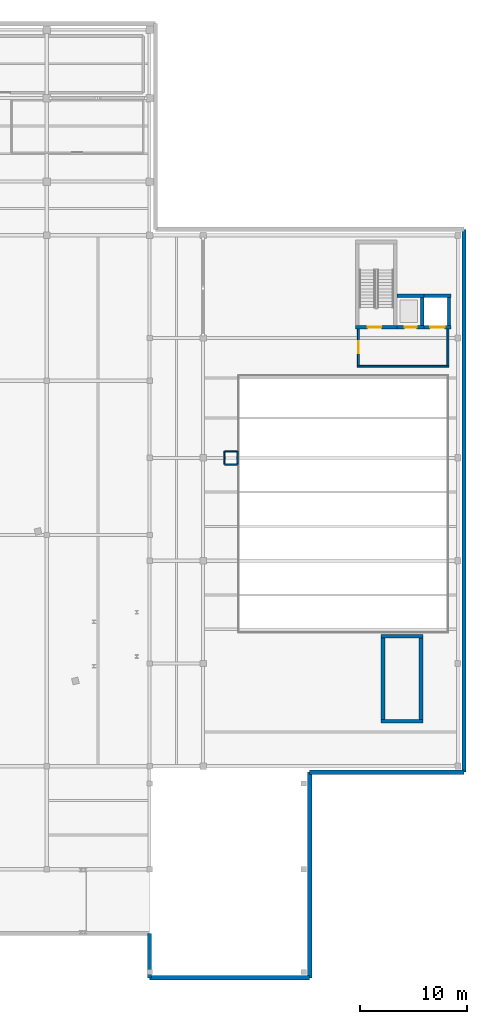
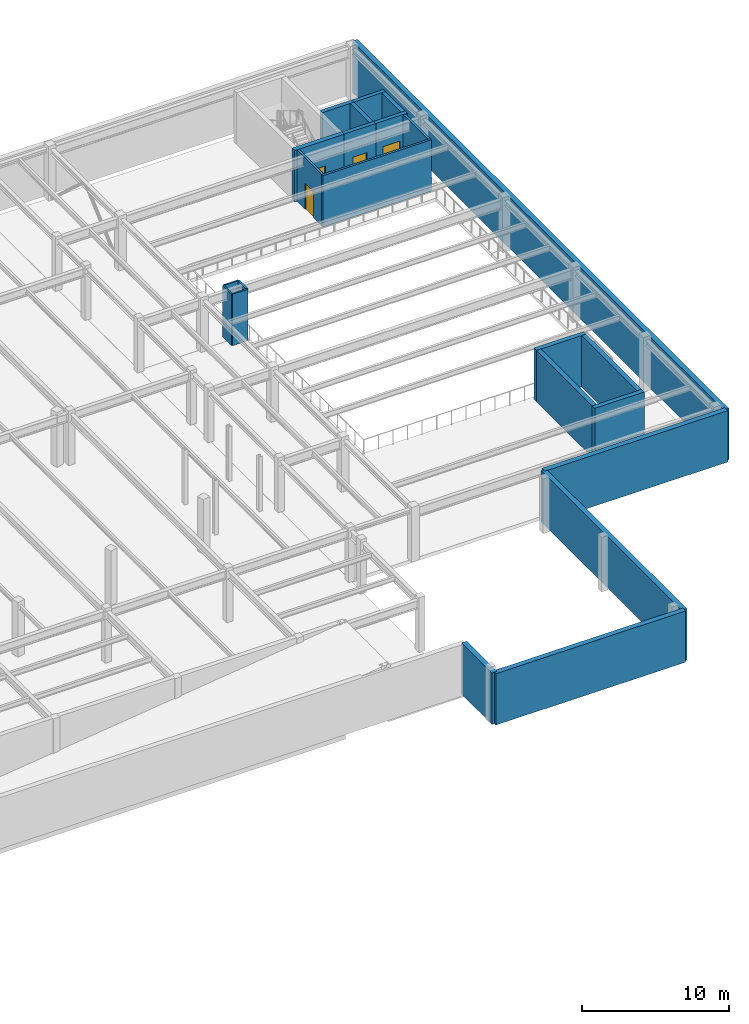
# One storey, part 21 of 32: 23 walls, 4 doors, 4 openings.
"""IFC4 building model written with IfcOpenShell, lengths in metres."""

from ifc_helpers import new_model, si_unit, direction, frame, frame_2d, origin, place, context, subcontext, project, spatial, rectangle, extrude, material, layer, layer_set, type_object, element, fill, save


model = new_model("IFC4")

# Units and contexts
model_context = context("Model", 3, precision=1e-05, world=origin(), true_north=direction((0.0, 1.0)))
body_context = subcontext(model_context, "Body", "Model", "MODEL_VIEW")
ifc_project = project(units=[si_unit("LENGTHUNIT", "METRE"), si_unit("AREAUNIT", "SQUARE_METRE"), si_unit("VOLUMEUNIT", "CUBIC_METRE"), si_unit("PLANEANGLEUNIT", "RADIAN"), si_unit("MASSUNIT", "GRAM", prefix="KILO")], contexts=[model_context])

# Site, building, storey
site_placement = place(None, origin())
site = spatial("IfcSite", under=ifc_project, at=site_placement, CompositionType="ELEMENT")
building_placement = place(site_placement, origin())
building = spatial("IfcBuilding", under=site, at=building_placement, Name="Nordkorset Police Headquarters", CompositionType="ELEMENT")
storey_placement = place(building_placement, frame((0.0, 0.0, -4.550048828125)))
storey = spatial("IfcBuildingStorey", under=building, at=storey_placement, Name="B01", CompositionType="ELEMENT", Elevation=-4.550048828125)

# Wall
ifc_material_1 = material(Name="Gypsum board", Category="gypsum")
ifc_layer_1 = layer(ifc_material_1, 0.179931640625, Name="Gypsum board")
ifc_layer_set_1 = layer_set([ifc_layer_1], Name="Gypsum board")
wall_type_1 = type_object("IfcWallType", Name="Wall_Comp_180", PredefinedType="PARTITIONING", material=ifc_layer_set_1)
wall_1_placement = place(storey_placement, frame((105.800048828125, 85.360107421875, 0.0), z_axis=(0.0, 0.0, 1.0), x_axis=(1.0, 0.0, 0.0)))
element("IfcWall", 1, at=wall_1_placement, inside=storey, type_object=wall_type_1, Name="Firefighting Lobby EI 60 Wall K5 B01 S", PredefinedType="PARTITIONING", context=body_context, shape_type="SweptSolid", body=[
    extrude(rectangle(XDim=8.550048828125, YDim=0.179931640625, at=frame_2d((4.27490234375, 0.0))), origin(), (0.0, 0.0, 1.0), 4.280029296875),
])

# Wall, opening, door
wall_2_placement = place(storey_placement, frame((105.889892578125, 85.449951171875, 0.0), z_axis=(0.0, 0.0, 1.0), x_axis=(0.0, 1.0, 0.0)))
wall_2 = element("IfcWall", 2, at=wall_2_placement, inside=storey, type_object=wall_type_1, Name="Firefighting Lobby EI 60 Wall K5 B01 W", PredefinedType="PARTITIONING", context=body_context, shape_type="SweptSolid", body=[
    extrude(rectangle(XDim=3.375, YDim=0.179931640625, at=frame_2d((1.6875, 0.0))), origin(), (0.0, 0.0, 1.0), 4.280029296875),
])
opening_1_placement = place(wall_2_placement, frame((1.112548828125, 0.0, 0.0)))
opening_1 = element("IfcOpeningElement", 3, at=opening_1_placement, cuts=wall_2, Name="Opening DR-01", PredefinedType="OPENING", context=body_context, shape_type="SweptSolid", body=[
    extrude(rectangle(XDim=1.14990234375, YDim=2.14990234375, at=frame_2d((0.574951171875, 1.074951171875))), frame((0.0, 0.10009765625, 0.0), z_axis=(0.0, -1.0, 0.0), x_axis=(1.0, 0.0, 0.0)), (0.0, 0.0, 1.0), 0.199951171875),
])
ifc_material_2 = material(Name="Steel S355J2", Category="steel")
door_type_1 = type_object("IfcDoorType", Name="Door_LobbySingle_1150x2150", OperationType="NOTDEFINED", PredefinedType="DOOR", material=ifc_material_2)
door_1_placement = place(opening_1_placement, origin())
door_1 = element("IfcDoor", 4, at=door_1_placement, inside=storey, type_object=door_type_1, Name="Firefighting Lobby Smoke Door K5 B01 W", OperationType="SINGLE_SWING_LEFT", OverallHeight=2.14990234375, OverallWidth=1.14990234375, PredefinedType="DOOR", context=body_context, shape_type="SweptSolid", body=[
    extrude(rectangle(XDim=1.14990234375, YDim=2.14990234375, at=frame_2d((0.574951171875, 1.074951171875))), frame((0.0, 0.02490234375, 0.0), z_axis=(0.0, -1.0, 0.0), x_axis=(1.0, 0.0, 0.0)), (0.0, 0.0, 1.0), 0.050048828125),
])
fill(opening_1, door_1)

# Wall
wall_3_placement = place(storey_placement, frame((114.260009765625, 85.449951171875, 0.0), z_axis=(0.0, 0.0, 1.0), x_axis=(0.0, 1.0, 0.0)))
element("IfcWall", 5, at=wall_3_placement, inside=storey, type_object=wall_type_1, Name="Firefighting Lobby EI 60 Wall K5 B01 E", PredefinedType="PARTITIONING", context=body_context, shape_type="SweptSolid", body=[
    extrude(rectangle(XDim=3.375, YDim=0.179931640625, at=frame_2d((1.6875, 0.0))), origin(), (0.0, 0.0, 1.0), 4.280029296875),
])

# Wall, opening, door
ifc_material_3 = material(Name="Concrete C35/45", Category="concrete")
ifc_layer_2 = layer(ifc_material_3, 0.35009765625, Name="Concrete C35/45")
ifc_layer_set_2 = layer_set([ifc_layer_2], Name="Concrete C35/45")
wall_type_2 = type_object("IfcWallType", Name="Wall_CoreShear_350", PredefinedType="SHEAR", material=ifc_layer_set_2)
wall_4_placement = place(storey_placement, frame((105.625, 89.0, 0.0), z_axis=(0.0, 0.0, 1.0), x_axis=(1.0, 0.0, 0.0)))
wall_4 = element("IfcWall", 6, at=wall_4_placement, inside=storey, type_object=wall_type_2, Name="Core K5 Stair Shaft South Shear Wall B01", PredefinedType="SHEAR", context=body_context, shape_type="SweptSolid", body=[
    extrude(rectangle(XDim=3.89990234375, YDim=0.35009765625, at=frame_2d((1.949951171875, 0.0))), origin(), (0.0, 0.0, 1.0), 4.280029296875),
])
opening_2_placement = place(wall_4_placement, frame((1.125, 0.0, 0.0)))
opening_2 = element("IfcOpeningElement", 7, at=opening_2_placement, cuts=wall_4, Name="Opening DR-20", PredefinedType="OPENING", context=body_context, shape_type="SweptSolid", body=[
    extrude(rectangle(XDim=1.300048828125, YDim=2.14990234375, at=frame_2d((0.64990234375, 1.074951171875))), frame((0.0, 0.18505859375, 0.0), z_axis=(0.0, -1.0, 0.0), x_axis=(1.0, 0.0, 0.0)), (0.0, 0.0, 1.0), 0.3701171875),
])
ifc_material_4 = material(Name="Steel S355J2", Category="steel")
door_type_2 = type_object("IfcDoorType", Name="Door_Stair_1300x2150", OperationType="NOTDEFINED", PredefinedType="DOOR", material=ifc_material_4)
door_2_placement = place(opening_2_placement, frame((1.300048828125, 0.0, 0.0), z_axis=(0.0, 0.0, 1.0), x_axis=(-1.0, 0.0, 0.0)))
door_2 = element("IfcDoor", 8, at=door_2_placement, inside=storey, type_object=door_type_2, Name="Protected Stair Fire Door ST-05 B01", OperationType="SINGLE_SWING_RIGHT", OverallHeight=2.14990234375, OverallWidth=1.300048828125, PredefinedType="DOOR", context=body_context, shape_type="SweptSolid", body=[
    extrude(rectangle(XDim=1.300048828125, YDim=2.14990234375, at=frame_2d((0.64990234375, 1.074951171875))), frame((0.0, 0.02490234375, 0.0), z_axis=(0.0, -1.0, 0.0), x_axis=(1.0, 0.0, 0.0)), (0.0, 0.0, 1.0), 0.050048828125),
])
fill(opening_2, door_2)

# Walls
for number, where, z_axis, x_axis, name in (
    (9, (108.02490234375, 52.199951171875, 0.0), (0.0, 0.0, 1.0), (1.0, 0.0, 0.0), "Core K8 Stair Shaft South Shear Wall B01"),
    (10, (108.02490234375, 60.14990234375, 0.0), (0.0, 0.0, 1.0), (1.0, 0.0, 0.0), "Core K8 Stair Shaft North Shear Wall B01"),
):
    element("IfcWall", number, at=place(storey_placement, frame(where, z_axis=z_axis, x_axis=x_axis)), inside=storey, type_object=wall_type_2, Name=name, PredefinedType="SHEAR", context=body_context, shape_type="SweptSolid", body=[
        extrude(rectangle(XDim=3.900146484375, YDim=0.35009765625, at=frame_2d((1.9501953125, 0.0))), origin(), (0.0, 0.0, 1.0), 4.280029296875),
    ])
for number, where, z_axis, x_axis, name in (
    (11, (108.199951171875, 52.375, 0.0), (0.0, 0.0, 1.0), (0.0, 1.0, 0.0), "Core K8 Stair Shaft West Shear Wall B01"),
    (12, (111.75, 52.375, 0.0), (0.0, 0.0, 1.0), (0.0, 1.0, 0.0), "Core K8 Stair Shaft East Shear Wall B01"),
):
    element("IfcWall", number, at=place(storey_placement, frame(where, z_axis=z_axis, x_axis=x_axis)), inside=storey, type_object=wall_type_2, Name=name, PredefinedType="SHEAR", context=body_context, shape_type="SweptSolid", body=[
        extrude(rectangle(XDim=7.60009765625, YDim=0.35009765625, at=frame_2d((3.800048828125, 0.0))), origin(), (0.0, 0.0, 1.0), 4.280029296875),
    ])
ifc_material_5 = material(Name="Concrete C40/50", Category="concrete")
ifc_layer_3 = layer(ifc_material_5, 0.39990234375, Name="Concrete C40/50")
ifc_layer_set_3 = layer_set([ifc_layer_3], Name="Concrete C40/50")
wall_type_3 = type_object("IfcWallType", Name="Wall_Retaining_400", PredefinedType="USERDEFINED", material=ifc_layer_set_3)
wall_5_placement = place(storey_placement, frame((86.39990234375, 28.25, 0.0), z_axis=(0.0, 0.0, 1.0), x_axis=(0.0, 1.0, 0.0)))
element("IfcWall", 13, at=wall_5_placement, inside=storey, type_object=wall_type_3, Name="Basement Perimeter Retaining Wall B01 W-S4A", ObjectType="RETAINING WALL", PredefinedType="USERDEFINED", context=body_context, shape_type="SweptSolid", body=[
    extrude(rectangle(XDim=4.14990234375, YDim=0.39990234375, at=frame_2d((2.074951171875, 0.0))), origin(), (0.0, 0.0, 1.0), 4.280029296875),
])
wall_6_placement = place(storey_placement, frame((86.39990234375, 28.25, 0.0), z_axis=(0.0, 0.0, 1.0), x_axis=(1.0, 0.0, 0.0)))
element("IfcWall", 14, at=wall_6_placement, inside=storey, type_object=wall_type_3, Name="Basement Perimeter Retaining Wall B01 W-S4B", ObjectType="RETAINING WALL", PredefinedType="USERDEFINED", context=body_context, shape_type="SweptSolid", body=[
    extrude(rectangle(XDim=14.9501953125, YDim=0.39990234375, at=frame_2d((7.47509765625, 0.0))), origin(), (0.0, 0.0, 1.0), 4.280029296875),
])
wall_7_placement = place(storey_placement, frame((101.35009765625, 28.25, 0.0), z_axis=(0.0, 0.0, 1.0), x_axis=(0.0, 1.0, 0.0)))
element("IfcWall", 15, at=wall_7_placement, inside=storey, type_object=wall_type_3, Name="Basement Perimeter Retaining Wall B01 W-S4C", ObjectType="RETAINING WALL", PredefinedType="USERDEFINED", context=body_context, shape_type="SweptSolid", body=[
    extrude(rectangle(XDim=19.199951171875, YDim=0.39990234375, at=frame_2d((9.60009765625, 0.0))), origin(), (0.0, 0.0, 1.0), 4.280029296875),
])
wall_8_placement = place(storey_placement, frame((101.35009765625, 47.449951171875, 0.0), z_axis=(0.0, 0.0, 1.0), x_axis=(1.0, 0.0, 0.0)))
element("IfcWall", 16, at=wall_8_placement, inside=storey, type_object=wall_type_3, Name="Basement Perimeter Retaining Wall B01 W-S5", ObjectType="RETAINING WALL", PredefinedType="USERDEFINED", context=body_context, shape_type="SweptSolid", body=[
    extrude(rectangle(XDim=14.39990234375, YDim=0.39990234375, at=frame_2d((7.199951171875, 0.0))), origin(), (0.0, 0.0, 1.0), 4.280029296875),
])
wall_9_placement = place(storey_placement, frame((115.75, 47.449951171875, 0.0), z_axis=(0.0, 0.0, 1.0), x_axis=(0.0, 1.0, 0.0)))
element("IfcWall", 17, at=wall_9_placement, inside=storey, type_object=wall_type_3, Name="Basement Perimeter Retaining Wall B01 W-E1", ObjectType="RETAINING WALL", PredefinedType="USERDEFINED", context=body_context, shape_type="SweptSolid", body=[
    extrude(rectangle(XDim=50.699951171875, YDim=0.39990234375, at=frame_2d((25.35009765625, 0.0))), origin(), (0.0, 0.0, 1.0), 4.280029296875),
])
ifc_material_6 = material(Name="Gypsum board", Category="gypsum")
ifc_layer_4 = layer(ifc_material_6, 0.125, Name="Gypsum board")
ifc_layer_set_4 = layer_set([ifc_layer_4], Name="Gypsum board")
wall_type_4 = type_object("IfcWallType", Name="Wall_Riser_125", PredefinedType="PARTITIONING", material=ifc_layer_set_4)
wall_10_placement = place(storey_placement, frame((93.39990234375, 76.199951171875, 0.0), z_axis=(0.0, 0.0, 1.0), x_axis=(1.0, 0.0, 0.0)))
element("IfcWall", 18, at=wall_10_placement, inside=storey, type_object=wall_type_4, Name="Service Riser Enclosure RSR-V5 B01", PredefinedType="PARTITIONING", context=body_context, shape_type="SweptSolid", body=[
    extrude(rectangle(XDim=1.2001953125, YDim=0.125, at=frame_2d((0.60009765625, 0.0))), origin(), (0.0, 0.0, 1.0), 4.280029296875),
])
wall_11_placement = place(storey_placement, frame((94.60009765625, 76.199951171875, 0.0), z_axis=(0.0, 0.0, 1.0), x_axis=(0.0, 1.0, 0.0)))
element("IfcWall", 19, at=wall_11_placement, inside=storey, type_object=wall_type_4, Name="Service Riser Enclosure RSR-V5 B01", PredefinedType="PARTITIONING", context=body_context, shape_type="SweptSolid", body=[
    extrude(rectangle(XDim=1.199951171875, YDim=0.125, at=frame_2d((0.60009765625, 0.0))), origin(), (0.0, 0.0, 1.0), 4.280029296875),
])
wall_12_placement = place(storey_placement, frame((94.60009765625, 77.39990234375, 0.0), z_axis=(0.0, 0.0, 1.0), x_axis=(-1.0, 0.0, 0.0)))
element("IfcWall", 20, at=wall_12_placement, inside=storey, type_object=wall_type_4, Name="Service Riser Enclosure RSR-V5 B01", PredefinedType="PARTITIONING", context=body_context, shape_type="SweptSolid", body=[
    extrude(rectangle(XDim=1.2001953125, YDim=0.125, at=frame_2d((0.60009765625, 0.0))), origin(), (0.0, 0.0, 1.0), 4.280029296875),
])
wall_13_placement = place(storey_placement, frame((93.39990234375, 77.39990234375, 0.0), z_axis=(0.0, 0.0, 1.0), x_axis=(0.0, -1.0, 0.0)))
element("IfcWall", 21, at=wall_13_placement, inside=storey, type_object=wall_type_4, Name="Service Riser Enclosure RSR-V5 B01", PredefinedType="PARTITIONING", context=body_context, shape_type="SweptSolid", body=[
    extrude(rectangle(XDim=1.199951171875, YDim=0.125, at=frame_2d((0.60009765625, 0.0))), origin(), (0.0, 0.0, 1.0), 4.280029296875),
])

# Wall, opening, door
ifc_material_7 = material(Name="Concrete C35/45", Category="concrete")
ifc_layer_5 = layer(ifc_material_7, 0.300048828125, Name="Concrete C35/45")
ifc_layer_set_5 = layer_set([ifc_layer_5], Name="Concrete C35/45")
wall_type_5 = type_object("IfcWallType", Name="Wall_ShaftShear_300", PredefinedType="SHEAR", material=ifc_layer_set_5)
wall_14_placement = place(storey_placement, frame((109.52490234375, 89.0, 0.0), z_axis=(0.0, 0.0, 1.0), x_axis=(1.0, 0.0, 0.0)))
wall_14 = element("IfcWall", 22, at=wall_14_placement, inside=storey, type_object=wall_type_5, Name="Lift Shaft LF-05 Front Shear Wall B01", PredefinedType="SHEAR", context=body_context, shape_type="SweptSolid", body=[
    extrude(rectangle(XDim=2.5, YDim=0.300048828125, at=frame_2d((1.25, 0.0))), origin(), (0.0, 0.0, 1.0), 4.280029296875),
])
opening_3_placement = place(wall_14_placement, frame((0.699951171875, 0.0, 0.0)))
opening_3 = element("IfcOpeningElement", 23, at=opening_3_placement, cuts=wall_14, Name="Opening LD-05", PredefinedType="OPENING", context=body_context, shape_type="SweptSolid", body=[
    extrude(rectangle(XDim=1.10009765625, YDim=2.10009765625, at=frame_2d((0.550048828125, 1.050048828125))), frame((0.0, 0.16015625, 0.0), z_axis=(0.0, -1.0, 0.0), x_axis=(1.0, 0.0, 0.0)), (0.0, 0.0, 1.0), 0.320068359375),
])
ifc_material_8 = material(Name="Steel S355J2", Category="steel")
door_type_3 = type_object("IfcDoorType", Name="Door_LiftLanding_1100x2100", OperationType="SLIDING_TO_LEFT", PredefinedType="DOOR", material=ifc_material_8)
door_3_placement = place(opening_3_placement, frame((1.10009765625, 0.0, 0.0), z_axis=(0.0, 0.0, 1.0), x_axis=(-1.0, 0.0, 0.0)))
door_3 = element("IfcDoor", 24, at=door_3_placement, inside=storey, type_object=door_type_3, Name="Lift Landing Sliding Door LF-05 B01", OperationType="SLIDING_TO_LEFT", OverallHeight=2.10009765625, OverallWidth=1.10009765625, PredefinedType="DOOR", context=body_context, shape_type="SweptSolid", body=[
    extrude(rectangle(XDim=1.10009765625, YDim=2.10009765625, at=frame_2d((0.550048828125, 1.050048828125))), frame((0.0, 0.02490234375, 0.0), z_axis=(0.0, -1.0, 0.0), x_axis=(1.0, 0.0, 0.0)), (0.0, 0.0, 1.0), 0.050048828125),
])
fill(opening_3, door_3)

# Walls
wall_15_placement = place(storey_placement, frame((109.52490234375, 91.949951171875, 0.0), z_axis=(0.0, 0.0, 1.0), x_axis=(1.0, 0.0, 0.0)))
element("IfcWall", 25, at=wall_15_placement, inside=storey, type_object=wall_type_5, Name="Lift Shaft LF-05 Rear Shear Wall B01", PredefinedType="SHEAR", context=body_context, shape_type="SweptSolid", body=[
    extrude(rectangle(XDim=2.5, YDim=0.300048828125, at=frame_2d((1.25, 0.0))), origin(), (0.0, 0.0, 1.0), 4.280029296875),
])
wall_16_placement = place(storey_placement, frame((111.85009765625, 89.14990234375, 0.0), z_axis=(0.0, 0.0, 1.0), x_axis=(0.0, 1.0, 0.0)))
element("IfcWall", 26, at=wall_16_placement, inside=storey, type_object=wall_type_5, Name="Lift Shaft LF-05 East Shear Wall B01", PredefinedType="SHEAR", context=body_context, shape_type="SweptSolid", body=[
    extrude(rectangle(XDim=2.650146484375, YDim=0.300048828125, at=frame_2d((1.3251953125, 0.0))), origin(), (0.0, 0.0, 1.0), 4.280029296875),
])

# Wall, opening, door
wall_17_placement = place(storey_placement, frame((112.02490234375, 89.0, 0.0), z_axis=(0.0, 0.0, 1.0), x_axis=(1.0, 0.0, 0.0)))
wall_17 = element("IfcWall", 27, at=wall_17_placement, inside=storey, type_object=wall_type_5, Name="Lift Shaft LF-07 Front Shear Wall B01", PredefinedType="SHEAR", context=body_context, shape_type="SweptSolid", body=[
    extrude(rectangle(XDim=2.5, YDim=0.300048828125, at=frame_2d((1.25, 0.0))), origin(), (0.0, 0.0, 1.0), 4.280029296875),
])
opening_4_placement = place(wall_17_placement, frame((0.574951171875, 0.0, 0.0)))
opening_4 = element("IfcOpeningElement", 28, at=opening_4_placement, cuts=wall_17, Name="Opening LD-07", PredefinedType="OPENING", context=body_context, shape_type="SweptSolid", body=[
    extrude(rectangle(XDim=1.35009765625, YDim=2.14990234375, at=frame_2d((0.675048828125, 1.074951171875))), frame((0.0, 0.16015625, 0.0), z_axis=(0.0, -1.0, 0.0), x_axis=(1.0, 0.0, 0.0)), (0.0, 0.0, 1.0), 0.320068359375),
])
ifc_material_9 = material(Name="Steel S355J2", Category="steel")
door_type_4 = type_object("IfcDoorType", Name="Door_LiftGoods_1350x2150", OperationType="SLIDING_TO_RIGHT", PredefinedType="DOOR", material=ifc_material_9)
door_4_placement = place(opening_4_placement, frame((1.35009765625, 0.0, 0.0), z_axis=(0.0, 0.0, 1.0), x_axis=(-1.0, 0.0, 0.0)))
door_4 = element("IfcDoor", 29, at=door_4_placement, inside=storey, type_object=door_type_4, Name="Lift Landing Sliding Door LF-07 B01", OperationType="SLIDING_TO_RIGHT", OverallHeight=2.14990234375, OverallWidth=1.35009765625, PredefinedType="DOOR", context=body_context, shape_type="SweptSolid", body=[
    extrude(rectangle(XDim=1.35009765625, YDim=2.14990234375, at=frame_2d((0.675048828125, 1.074951171875))), frame((0.0, 0.02490234375, 0.0), z_axis=(0.0, -1.0, 0.0), x_axis=(1.0, 0.0, 0.0)), (0.0, 0.0, 1.0), 0.050048828125),
])
fill(opening_4, door_4)

# Walls
wall_18_placement = place(storey_placement, frame((112.02490234375, 91.949951171875, 0.0), z_axis=(0.0, 0.0, 1.0), x_axis=(1.0, 0.0, 0.0)))
element("IfcWall", 30, at=wall_18_placement, inside=storey, type_object=wall_type_5, Name="Lift Shaft LF-07 Rear Shear Wall B01", PredefinedType="SHEAR", context=body_context, shape_type="SweptSolid", body=[
    extrude(rectangle(XDim=2.5, YDim=0.300048828125, at=frame_2d((1.25, 0.0))), origin(), (0.0, 0.0, 1.0), 4.280029296875),
])
wall_19_placement = place(storey_placement, frame((114.35009765625, 89.14990234375, 0.0), z_axis=(0.0, 0.0, 1.0), x_axis=(0.0, 1.0, 0.0)))
element("IfcWall", 31, at=wall_19_placement, inside=storey, type_object=wall_type_5, Name="Lift Shaft LF-07 East Shear Wall B01", PredefinedType="SHEAR", context=body_context, shape_type="SweptSolid", body=[
    extrude(rectangle(XDim=2.650146484375, YDim=0.300048828125, at=frame_2d((1.3251953125, 0.0))), origin(), (0.0, 0.0, 1.0), 4.280029296875),
])

save(model, "model.ifc")
